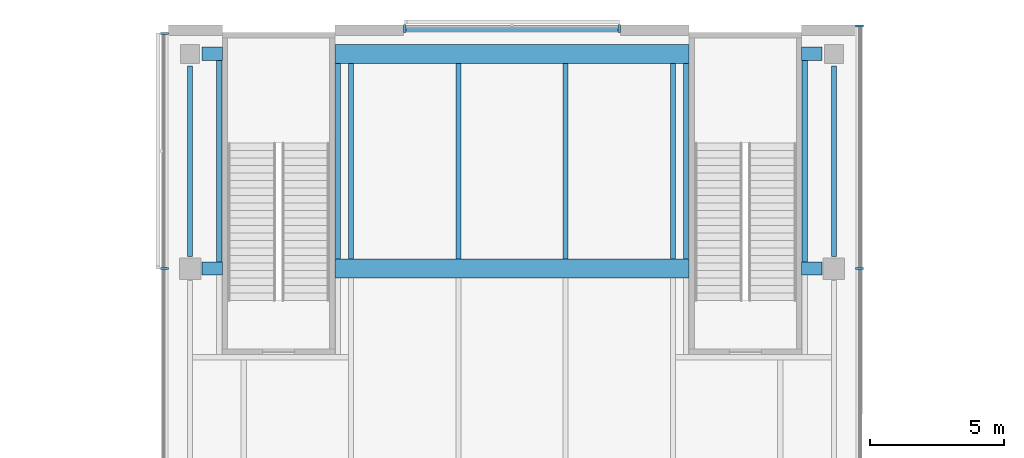
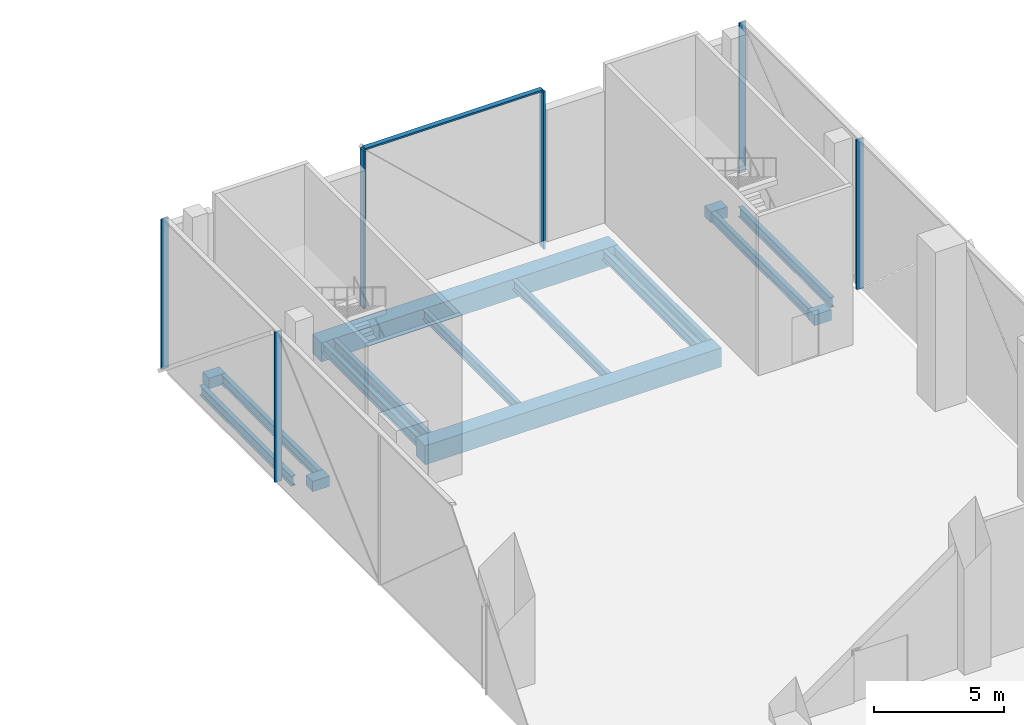
# One storey, part 11 of 25: 16 beams, 7 members, 3 elements without a shape of their own.
"""IFC4 building model written with IfcOpenShell, lengths in metres."""

from ifc_helpers import new_model, si_unit, direction, frame, origin, origin_2d, place, context, subcontext, project, spatial, rectangle, i_section, extrude, material, material_profile, profile_set, type_object, element, aggregate, save


model = new_model("IFC4")

# Units and contexts
model_context = context("Model", 3, precision=1e-05, world=origin(), true_north=direction((0.0, 1.0)))
body_context = subcontext(model_context, "Body", "Model", "MODEL_VIEW")
ifc_project = project(units=[si_unit("LENGTHUNIT", "METRE"), si_unit("AREAUNIT", "SQUARE_METRE"), si_unit("VOLUMEUNIT", "CUBIC_METRE"), si_unit("PLANEANGLEUNIT", "RADIAN"), si_unit("MASSUNIT", "GRAM", prefix="KILO")], contexts=[model_context])

# Site, building, storey
site_placement = place(None, origin())
site = spatial("IfcSite", under=ifc_project, at=site_placement, CompositionType="ELEMENT")
building_placement = place(site_placement, origin())
building = spatial("IfcBuilding", under=site, at=building_placement, Name="Crosswind Convention Tower", CompositionType="ELEMENT")
storey_placement = place(building_placement, frame((0.0, 0.0, 10.0)))
storey = spatial("IfcBuildingStorey", under=building, at=storey_placement, Name="L01", CompositionType="ELEMENT", Elevation=10.0)

# Beams
ifc_material_1 = material(Name="Steel S355", Category="steel")
ifc_material_profile_1 = material_profile(ifc_material_1, i_section(OverallWidth=0.19287109375, OverallDepth=0.467529296875, WebThickness=0.011474609375, FlangeThickness=0.01953125, FilletRadius=0.01025390625, at=origin_2d()), Name="UB 457x191x98")
ifc_profile_set_1 = profile_set([ifc_material_profile_1], Name="Steel S355")
beam_type_1 = type_object("IfcBeamType", Name="Edge beam UB 457x191x98", PredefinedType="SPANDREL", material=ifc_profile_set_1)
for number, where, z_axis, x_axis, name in (
    (1, (113.0, 136.449951171875, -0.6337890625), (0.0, 1.0, 0.0), (-1.0, 0.0, 0.0), "B20 L01 edge beam 12"),
    (2, (137.0, 136.449951171875, -0.6337890625), (0.0, 1.0, 0.0), (-1.0, 0.0, 0.0), "B20 L01 edge beam 20"),
):
    element("IfcBeam", number, at=place(storey_placement, frame(where, z_axis=z_axis, x_axis=x_axis)), inside=storey, type_object=beam_type_1, Name=name, PredefinedType="SPANDREL", context=body_context, shape_type="SweptSolid", body=[
        extrude(i_section(OverallWidth=0.19287109375, OverallDepth=0.467529296875, WebThickness=0.011474609375, FlangeThickness=0.01953125, FilletRadius=0.01025390625, at=origin_2d()), origin(), (0.0, 0.0, 1.0), 7.10009765625),
    ])

# Curtain wall, members
ifc_material_2 = material(Name="Aluminium unitised curtain wall", Category="aluminium")
curtain_wall_type = type_object("IfcCurtainWallType", Name="PODIUM UNITISED WALL 300", PredefinedType="USERDEFINED", material=ifc_material_2)
curtain_wall_1_placement = place(storey_placement, origin())
curtain_wall_1 = element("IfcCurtainWall", 3, at=curtain_wall_1_placement, inside=storey, type_object=curtain_wall_type, Name="CW1 L01 N-E 1", ObjectType="UNITISED", PredefinedType="USERDEFINED")
ifc_material_3 = material(Name="Aluminium mullion", Category="aluminium")
ifc_material_profile_2 = material_profile(ifc_material_3, rectangle(XDim=0.300048828125, YDim=0.080078125, at=origin_2d()), Name="AL 300X80")
ifc_profile_set_2 = profile_set([ifc_material_profile_2], Name="Aluminium mullion")
member_type_1 = type_object("IfcMemberType", Name="MULLION 80X300", PredefinedType="MULLION", material=ifc_profile_set_2)
member_1_placement = place(storey_placement, frame((137.949951171875, 136.0, -0.044921875), z_axis=(0.0, 0.0, 1.0), x_axis=(1.0, 0.0, 0.0)))
member_1 = element("IfcMember", 4, at=member_1_placement, type_object=member_type_1, Name="CW1 mullion 3", PredefinedType="MULLION", context=body_context, shape_type="SweptSolid", body=[
    extrude(rectangle(XDim=0.300048828125, YDim=0.080078125, at=origin_2d()), origin(), (0.0, 0.0, 1.0), 7.06494140625),
])
member_2_placement = place(storey_placement, frame((137.949951171875, 145.044921875, -0.044921875), z_axis=(0.0, 0.0, 1.0), x_axis=(1.0, 0.0, 0.0)))
member_2 = element("IfcMember", 5, at=member_2_placement, type_object=member_type_1, Name="CW1 mullion 4", PredefinedType="MULLION", context=body_context, shape_type="SweptSolid", body=[
    extrude(rectangle(XDim=0.300048828125, YDim=0.080078125, at=origin_2d()), origin(), (0.0, 0.0, 1.0), 7.06494140625),
])
aggregate(curtain_wall_1, [member_1, member_2])

curtain_wall_2_placement = place(storey_placement, origin())
curtain_wall_2 = element("IfcCurtainWall", 6, at=curtain_wall_2_placement, inside=storey, type_object=curtain_wall_type, Name="CW1 L01 N-TIP 1", ObjectType="UNITISED", PredefinedType="USERDEFINED")
member_3_placement = place(storey_placement, frame((129.0, 144.949951171875, -0.39990234375), z_axis=(0.0, 0.0, 1.0), x_axis=(0.0, 1.0, 0.0)))
member_3 = element("IfcMember", 7, at=member_3_placement, type_object=member_type_1, Name="CW1 mullion 1", PredefinedType="MULLION", context=body_context, shape_type="SweptSolid", body=[
    extrude(rectangle(XDim=0.300048828125, YDim=0.080078125, at=origin_2d()), origin(), (0.0, 0.0, 1.0), 7.419921875),
])
member_4_placement = place(storey_placement, frame((121.0, 144.949951171875, -0.39990234375), z_axis=(0.0, 0.0, 1.0), x_axis=(0.0, 1.0, 0.0)))
member_4 = element("IfcMember", 8, at=member_4_placement, type_object=member_type_1, Name="CW1 mullion 2", PredefinedType="MULLION", context=body_context, shape_type="SweptSolid", body=[
    extrude(rectangle(XDim=0.300048828125, YDim=0.080078125, at=origin_2d()), origin(), (0.0, 0.0, 1.0), 7.419921875),
])

curtain_wall_3_placement = place(storey_placement, origin())
curtain_wall_3 = element("IfcCurtainWall", 9, at=curtain_wall_3_placement, inside=storey, type_object=curtain_wall_type, Name="CW1 L01 N-W 1", ObjectType="UNITISED", PredefinedType="USERDEFINED")
member_5_placement = place(storey_placement, frame((112.050048828125, 144.760009765625, -0.044921875), z_axis=(0.0, 0.0, 1.0), x_axis=(-1.0, 0.0, 0.0)))
member_5 = element("IfcMember", 10, at=member_5_placement, type_object=member_type_1, Name="CW1 mullion 1", PredefinedType="MULLION", context=body_context, shape_type="SweptSolid", body=[
    extrude(rectangle(XDim=0.300048828125, YDim=0.080078125, at=origin_2d()), origin(), (0.0, 0.0, 1.0), 7.06494140625),
])
member_6_placement = place(storey_placement, frame((112.050048828125, 136.0, -0.044921875), z_axis=(0.0, 0.0, 1.0), x_axis=(-1.0, 0.0, 0.0)))
member_6 = element("IfcMember", 11, at=member_6_placement, type_object=member_type_1, Name="CW1 mullion 2", PredefinedType="MULLION", context=body_context, shape_type="SweptSolid", body=[
    extrude(rectangle(XDim=0.300048828125, YDim=0.080078125, at=origin_2d()), origin(), (0.0, 0.0, 1.0), 7.06494140625),
])
aggregate(curtain_wall_3, [member_5, member_6])

# Beams
ifc_material_4 = material(Name="Concrete C60/75", Category="concrete")
ifc_material_profile_3 = material_profile(ifc_material_4, rectangle(XDim=0.699951171875, YDim=0.89990234375, at=origin_2d()), Name="RC 700X900")
ifc_profile_set_3 = profile_set([ifc_material_profile_3], Name="Concrete C60/75")
beam_type_2 = type_object("IfcBeamType", Name="Prestressed concrete girder between stair walls RC 700X900", PredefinedType="BEAM", material=ifc_profile_set_3)
for number, where, z_axis, x_axis, name in (
    (12, (118.39990234375, 136.0, -0.85009765625), (1.0, 0.0, 0.0), (0.0, 1.0, 0.0), "B41 L01 prestressed concrete girder between stair walls 5"),
    (13, (118.39990234375, 144.0, -0.85009765625), (1.0, 0.0, 0.0), (0.0, 1.0, 0.0), "B41 L01 prestressed concrete girder between stair walls 6"),
):
    element("IfcBeam", number, at=place(storey_placement, frame(where, z_axis=z_axis, x_axis=x_axis)), inside=storey, type_object=beam_type_2, Name=name, PredefinedType="BEAM", context=body_context, shape_type="SweptSolid", body=[
        extrude(rectangle(XDim=0.699951171875, YDim=0.89990234375, at=origin_2d()), origin(), (0.0, 0.0, 1.0), 13.2001953125),
    ])
ifc_material_profile_4 = material_profile(ifc_material_1, i_section(OverallWidth=0.19140625, OverallDepth=0.460205078125, WebThickness=0.010009765625, FlangeThickness=0.01611328125, FilletRadius=0.01025390625, at=origin_2d()), Name="UB 457x191x82")
ifc_profile_set_4 = profile_set([ifc_material_profile_4], Name="Steel S355")
beam_type_3 = type_object("IfcBeamType", Name="Secondary beam UB 457x191x82", PredefinedType="JOIST", material=ifc_profile_set_4)
for number, where, z_axis, x_axis, name in (
    (14, (119.0, 136.35009765625, -0.630126953125), (0.0, 1.0, 0.0), (-1.0, 0.0, 0.0), "B13 L01 secondary beam 27"),
    (15, (123.0, 136.35009765625, -0.630126953125), (0.0, 1.0, 0.0), (-1.0, 0.0, 0.0), "B13 L01 secondary beam 38"),
    (16, (127.0, 136.35009765625, -0.630126953125), (0.0, 1.0, 0.0), (-1.0, 0.0, 0.0), "B13 L01 secondary beam 46"),
    (17, (131.0, 136.35009765625, -0.630126953125), (0.0, 1.0, 0.0), (-1.0, 0.0, 0.0), "B13 L01 secondary beam 57"),
):
    element("IfcBeam", number, at=place(storey_placement, frame(where, z_axis=z_axis, x_axis=x_axis)), inside=storey, type_object=beam_type_3, Name=name, PredefinedType="JOIST", context=body_context, shape_type="SweptSolid", body=[
        extrude(i_section(OverallWidth=0.19140625, OverallDepth=0.460205078125, WebThickness=0.010009765625, FlangeThickness=0.01611328125, FilletRadius=0.01025390625, at=origin_2d()), origin(), (0.0, 0.0, 1.0), 7.2998046875),
    ])
ifc_material_profile_5 = material_profile(ifc_material_4, rectangle(XDim=0.5, YDim=0.5, at=origin_2d()), Name="RC 500X500")
ifc_profile_set_5 = profile_set([ifc_material_profile_5], Name="Concrete C60/75")
beam_type_4 = type_object("IfcBeamType", Name="Slab edge tie beam RC 500X500", PredefinedType="BEAM", material=ifc_profile_set_5)
for number, where, z_axis, x_axis, name in (
    (18, (113.449951171875, 136.0, -0.64990234375), (1.0, 0.0, 0.0), (0.0, 1.0, 0.0), "B42 L01 slab edge tie beam 7"),
    (19, (113.449951171875, 144.0, -0.64990234375), (1.0, 0.0, 0.0), (0.0, 1.0, 0.0), "B42 L01 slab edge tie beam 8"),
    (20, (135.800048828125, 136.0, -0.64990234375), (1.0, 0.0, 0.0), (0.0, 1.0, 0.0), "B42 L01 slab edge tie beam 11"),
    (21, (135.800048828125, 144.0, -0.64990234375), (1.0, 0.0, 0.0), (0.0, 1.0, 0.0), "B42 L01 slab edge tie beam 12"),
):
    element("IfcBeam", number, at=place(storey_placement, frame(where, z_axis=z_axis, x_axis=x_axis)), inside=storey, type_object=beam_type_4, Name=name, PredefinedType="BEAM", context=body_context, shape_type="SweptSolid", body=[
        extrude(rectangle(XDim=0.5, YDim=0.5, at=origin_2d()), origin(), (0.0, 0.0, 1.0), 0.75),
    ])

# Member
ifc_material_5 = material(Name="Aluminium transom", Category="aluminium")
ifc_material_profile_6 = material_profile(ifc_material_5, rectangle(XDim=0.219970703125, YDim=0.080078125, at=origin_2d()), Name="AL 220X80")
ifc_profile_set_6 = profile_set([ifc_material_profile_6], Name="Aluminium transom")
member_type_2 = type_object("IfcMemberType", Name="TRANSOM 80X220", PredefinedType="USERDEFINED", material=ifc_profile_set_6)
member_7_placement = place(storey_placement, frame((128.9599609375, 144.949951171875, 7.06005859375), z_axis=(-1.0, 0.0, 0.0), x_axis=(0.0, -1.0, 0.0)))
member_7 = element("IfcMember", 22, at=member_7_placement, type_object=member_type_2, Name="CW1 transom", ObjectType="TRANSOM", PredefinedType="USERDEFINED", context=body_context, shape_type="SweptSolid", body=[
    extrude(rectangle(XDim=0.219970703125, YDim=0.080078125, at=origin_2d()), origin(), (0.0, 0.0, 1.0), 7.919921875),
])

aggregate(curtain_wall_2, [member_3, member_4, member_7])

# Beams
ifc_material_profile_7 = material_profile(ifc_material_1, i_section(OverallWidth=0.19189453125, OverallDepth=0.463623046875, WebThickness=0.010498046875, FlangeThickness=0.017578125, FilletRadius=0.01025390625, at=origin_2d()), Name="UB 457x191x90")
ifc_profile_set_7 = profile_set([ifc_material_profile_7], Name="Steel S355")
beam_type_5 = type_object("IfcBeamType", Name="Trimmer beam UB 457x191x90", PredefinedType="BEAM", material=ifc_profile_set_7)
beam_1_placement = place(storey_placement, frame((114.090087890625, 136.25, -0.6318359375), z_axis=(0.0, 1.0, 0.0), x_axis=(-1.0, 0.0, 0.0)))
element("IfcBeam", 23, at=beam_1_placement, inside=storey, type_object=beam_type_5, Name="B33 L01 trimmer beam 16", PredefinedType="BEAM", context=body_context, shape_type="SweptSolid", body=[
    extrude(i_section(OverallWidth=0.19189453125, OverallDepth=0.463623046875, WebThickness=0.010498046875, FlangeThickness=0.017578125, FilletRadius=0.01025390625, at=origin_2d()), origin(), (0.0, 0.0, 1.0), 7.5),
])
for number, where, z_axis, x_axis, name in (
    (24, (118.510009765625, 136.35009765625, -0.6318359375), (0.0, 1.0, 0.0), (-1.0, 0.0, 0.0), "B33 L01 trimmer beam 20"),
    (25, (131.489990234375, 136.35009765625, -0.6318359375), (0.0, 1.0, 0.0), (-1.0, 0.0, 0.0), "B33 L01 trimmer beam 26"),
):
    element("IfcBeam", number, at=place(storey_placement, frame(where, z_axis=z_axis, x_axis=x_axis)), inside=storey, type_object=beam_type_5, Name=name, PredefinedType="BEAM", context=body_context, shape_type="SweptSolid", body=[
        extrude(i_section(OverallWidth=0.19189453125, OverallDepth=0.463623046875, WebThickness=0.010498046875, FlangeThickness=0.017578125, FilletRadius=0.01025390625, at=origin_2d()), origin(), (0.0, 0.0, 1.0), 7.2998046875),
    ])
beam_2_placement = place(storey_placement, frame((135.909912109375, 136.25, -0.6318359375), z_axis=(0.0, 1.0, 0.0), x_axis=(-1.0, 0.0, 0.0)))
element("IfcBeam", 26, at=beam_2_placement, inside=storey, type_object=beam_type_5, Name="B33 L01 trimmer beam 30", PredefinedType="BEAM", context=body_context, shape_type="SweptSolid", body=[
    extrude(i_section(OverallWidth=0.19189453125, OverallDepth=0.463623046875, WebThickness=0.010498046875, FlangeThickness=0.017578125, FilletRadius=0.01025390625, at=origin_2d()), origin(), (0.0, 0.0, 1.0), 7.5),
])

save(model, "model.ifc")
